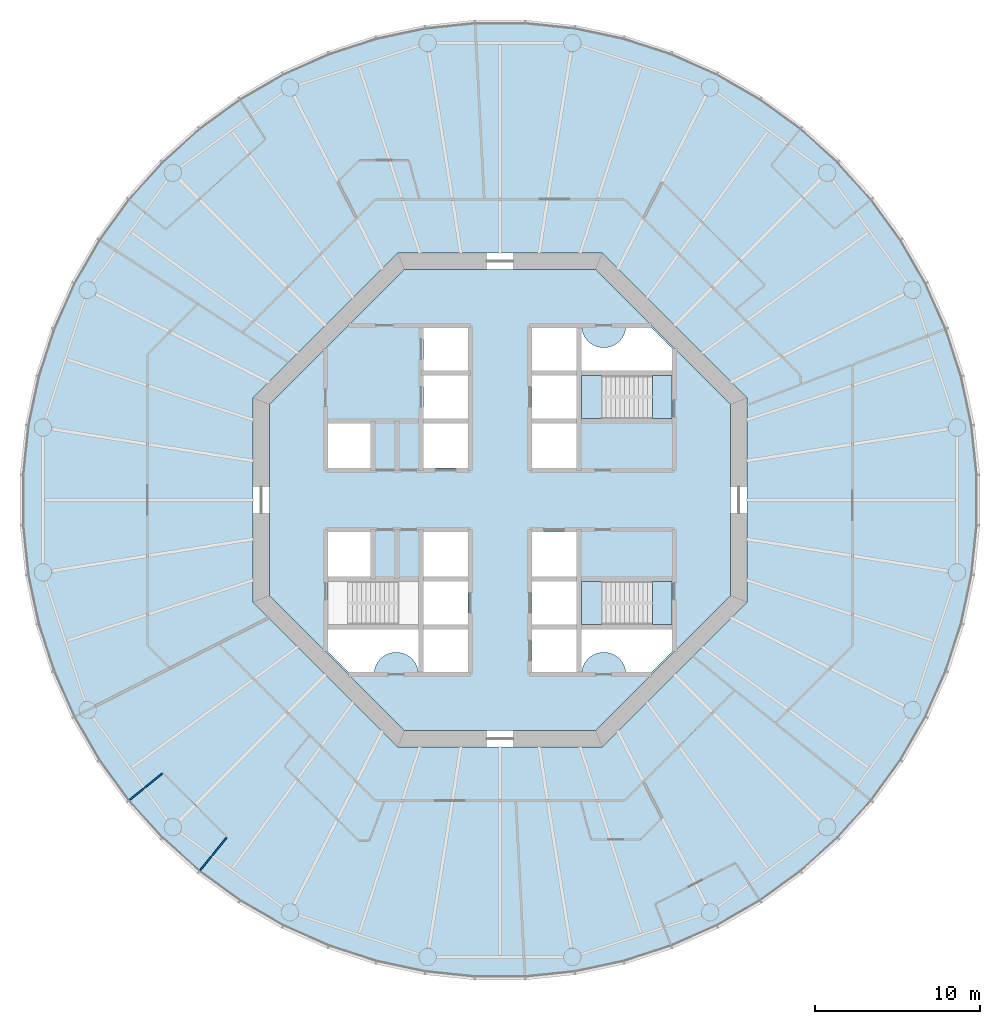
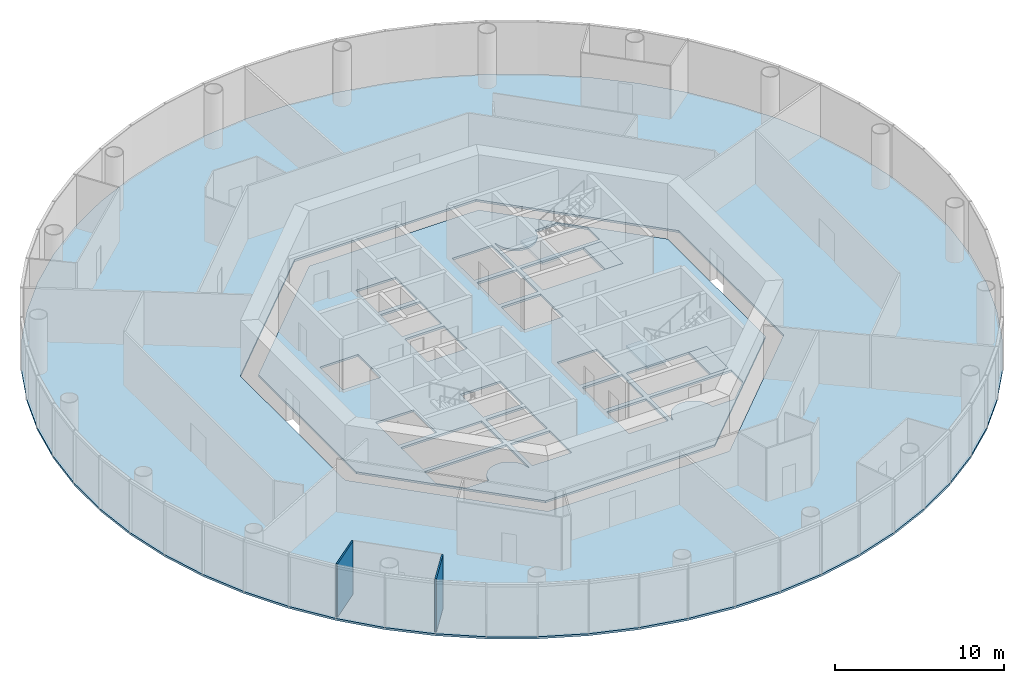
# One storey, part 2 of 13: 6 slabs, 2 walls, 2 elements without a shape of their own.
"""IFC4 building model written with IfcOpenShell, lengths in metres."""

from ifc_helpers import new_model, si_unit, direction, frame, frame_2d, origin, place, context, subcontext, project, spatial, polyline, rectangle, outline, extrude, material, layer, layer_set, type_object, element, aggregate, save


model = new_model("IFC4")

# Units and contexts
model_context = context("Model", 3, precision=1e-05, world=origin(), true_north=direction((0.0, 1.0)))
body_context = subcontext(model_context, "Body", "Model", "MODEL_VIEW")
ifc_project = project(units=[si_unit("LENGTHUNIT", "METRE"), si_unit("AREAUNIT", "SQUARE_METRE"), si_unit("VOLUMEUNIT", "CUBIC_METRE"), si_unit("PLANEANGLEUNIT", "RADIAN"), si_unit("MASSUNIT", "GRAM", prefix="KILO")], contexts=[model_context])

# Site, building, storey
site_placement = place(None, origin())
site = spatial("IfcSite", under=ifc_project, at=site_placement, CompositionType="ELEMENT")
building_placement = place(site_placement, origin())
building = spatial("IfcBuilding", under=site, at=building_placement, Name="Entoto Ring Tower", CompositionType="ELEMENT")
storey_placement = place(building_placement, frame((0.0, 0.0, 188.0)))
storey = spatial("IfcBuildingStorey", under=building, at=storey_placement, Name="L43", CompositionType="ELEMENT", Elevation=188.0)

# Slabs
ifc_material_1 = material(Name="Concrete C30/37", Category="concrete")
ifc_layer_1 = layer(ifc_material_1, 0.14990234375)
ifc_layer_set_1 = layer_set([ifc_layer_1], Name="Concrete C30/37")
slab_type_1 = type_object("IfcSlabType", Name="Composite floor slab 150 mm", PredefinedType="FLOOR", material=ifc_layer_set_1)
slab_1_placement = place(storey_placement, frame((0.0, 0.0, -0.14990234375)))
element("IfcSlab", 1, at=slab_1_placement, inside=storey, type_object=slab_type_1, Name="Floor slab L43", PredefinedType="FLOOR", context=body_context, shape_type="SweptSolid", body=[
    extrude(outline(polyline([(118.74169921875, 84.55224609375), (118.1083984375, 87.53173828125), (117.167236328125, 90.428466796875), (115.92822265625, 93.211181640625), (114.4052734375, 95.848876953125), (112.614990234375, 98.313232421875), (110.576904296875, 100.576904296875), (108.313232421875, 102.614990234375), (105.848876953125, 104.4052734375), (103.211181640625, 105.92822265625), (100.428466796875, 107.167236328125), (97.53173828125, 108.1083984375), (94.55224609375, 108.74169921875), (91.52294921875, 109.06005859375), (88.47705078125, 109.06005859375), (85.44775390625, 108.74169921875), (82.46826171875, 108.1083984375), (79.571533203125, 107.167236328125), (76.788818359375, 105.92822265625), (74.151123046875, 104.4052734375), (71.686767578125, 102.614990234375), (69.423095703125, 100.576904296875), (67.385009765625, 98.313232421875), (65.5947265625, 95.848876953125), (64.07177734375, 93.211181640625), (62.832763671875, 90.428466796875), (61.8916015625, 87.53173828125), (61.25830078125, 84.55224609375), (60.93994140625, 81.52294921875), (60.93994140625, 78.47705078125), (61.25830078125, 75.44775390625), (61.8916015625, 72.46826171875), (62.832763671875, 69.571533203125), (64.07177734375, 66.788818359375), (65.5947265625, 64.151123046875), (67.385009765625, 61.686767578125), (69.423095703125, 59.423095703125), (71.686767578125, 57.385009765625), (74.151123046875, 55.5947265625), (76.788818359375, 54.07177734375), (79.571533203125, 52.832763671875), (82.46826171875, 51.8916015625), (85.44775390625, 51.25830078125), (88.47705078125, 50.93994140625), (91.52294921875, 50.93994140625), (94.55224609375, 51.25830078125), (97.53173828125, 51.8916015625), (100.428466796875, 52.832763671875), (103.211181640625, 54.07177734375), (105.848876953125, 55.5947265625), (108.313232421875, 57.385009765625), (110.576904296875, 59.423095703125), (112.614990234375, 61.686767578125), (114.4052734375, 64.151123046875), (115.92822265625, 66.788818359375), (117.167236328125, 69.571533203125), (118.1083984375, 72.46826171875), (118.74169921875, 75.44775390625), (119.06005859375, 78.47705078125), (119.06005859375, 81.52294921875), (118.74169921875, 84.55224609375)]), holes=[polyline([(105.0, 73.786865234375), (105.0, 86.213134765625), (96.213134765625, 95.0), (83.786865234375, 95.0), (75.0, 86.213134765625), (75.0, 73.786865234375), (83.786865234375, 65.0), (96.213134765625, 65.0), (105.0, 73.786865234375)])]), origin(), (0.0, 0.0, 1.0), 0.14990234375),
])
ifc_material_2 = material(Name="Concrete C40/50", Category="concrete")
ifc_layer_2 = layer(ifc_material_2, 0.14990234375)
ifc_layer_set_2 = layer_set([ifc_layer_2], Name="Concrete C40/50")
slab_type_2 = type_object("IfcSlabType", Name="Core floor slab 150 mm reinforced concrete C40/50", PredefinedType="FLOOR", material=ifc_layer_set_2)
slab_2_placement = place(storey_placement, frame((0.0, 0.0, -0.14990234375)))
element("IfcSlab", 2, at=slab_2_placement, inside=storey, type_object=slab_type_2, Name="Core floor L43", PredefinedType="FLOOR", context=body_context, shape_type="SweptSolid", body=[
    extrude(outline(polyline([(104.0, 74.200927734375), (104.0, 85.799072265625), (95.799072265625, 94.0), (84.200927734375, 94.0), (76.0, 85.799072265625), (76.0, 74.200927734375), (84.200927734375, 66.0), (95.799072265625, 66.0), (104.0, 74.200927734375)]), holes=[polyline([(100.449951171875, 84.949951171875), (100.449951171875, 87.550048828125), (94.949951171875, 87.550048828125), (94.949951171875, 84.949951171875), (100.449951171875, 84.949951171875)]), polyline([(85.050048828125, 72.449951171875), (85.050048828125, 75.050048828125), (79.550048828125, 75.050048828125), (79.550048828125, 72.449951171875), (85.050048828125, 72.449951171875)]), polyline([(100.449951171875, 72.449951171875), (100.449951171875, 75.050048828125), (94.949951171875, 75.050048828125), (94.949951171875, 72.449951171875), (100.449951171875, 72.449951171875)]), polyline([(91.949951171875, 84.949951171875), (94.64990234375, 84.949951171875), (94.64990234375, 87.550048828125), (91.949951171875, 87.550048828125), (91.949951171875, 84.949951171875)]), polyline([(91.949951171875, 72.449951171875), (94.64990234375, 72.449951171875), (94.64990234375, 75.050048828125), (91.949951171875, 75.050048828125), (91.949951171875, 72.449951171875)]), polyline([(91.949951171875, 69.550048828125), (94.64990234375, 69.550048828125), (94.64990234375, 72.14990234375), (91.949951171875, 72.14990234375), (91.949951171875, 69.550048828125)]), polyline([(85.35009765625, 72.449951171875), (88.050048828125, 72.449951171875), (88.050048828125, 75.050048828125), (85.35009765625, 75.050048828125), (85.35009765625, 72.449951171875)]), polyline([(85.35009765625, 81.949951171875), (88.050048828125, 81.949951171875), (88.050048828125, 84.64990234375), (85.35009765625, 84.64990234375), (85.35009765625, 81.949951171875)]), polyline([(91.949951171875, 75.35009765625), (94.64990234375, 75.35009765625), (94.64990234375, 78.050048828125), (91.949951171875, 78.050048828125), (91.949951171875, 75.35009765625)]), polyline([(79.550048828125, 81.949951171875), (82.14990234375, 81.949951171875), (82.14990234375, 84.64990234375), (79.550048828125, 84.64990234375), (79.550048828125, 81.949951171875)]), polyline([(79.550048828125, 75.35009765625), (82.14990234375, 75.35009765625), (82.14990234375, 78.050048828125), (79.550048828125, 78.050048828125), (79.550048828125, 75.35009765625)]), polyline([(91.949951171875, 87.85009765625), (94.64990234375, 87.85009765625), (94.64990234375, 90.449951171875), (91.949951171875, 90.449951171875), (91.949951171875, 87.85009765625)]), polyline([(85.35009765625, 69.550048828125), (88.050048828125, 69.550048828125), (88.050048828125, 72.14990234375), (85.35009765625, 72.14990234375), (85.35009765625, 69.550048828125)]), polyline([(91.949951171875, 81.949951171875), (94.64990234375, 81.949951171875), (94.64990234375, 84.64990234375), (91.949951171875, 84.64990234375), (91.949951171875, 81.949951171875)]), polyline([(85.35009765625, 75.35009765625), (88.050048828125, 75.35009765625), (88.050048828125, 78.050048828125), (85.35009765625, 78.050048828125), (85.35009765625, 75.35009765625)]), polyline([(85.35009765625, 84.949951171875), (88.050048828125, 84.949951171875), (88.050048828125, 87.550048828125), (85.35009765625, 87.550048828125), (85.35009765625, 84.949951171875)]), polyline([(85.35009765625, 87.85009765625), (88.050048828125, 87.85009765625), (88.050048828125, 90.449951171875), (85.35009765625, 90.449951171875), (85.35009765625, 87.85009765625)]), polyline([(94.89990234375, 90.5), (94.89990234375, 87.800048828125), (100.5, 87.800048828125), (100.5, 89.15771484375), (99.15771484375, 90.5), (97.64501953125, 90.5), (97.6435546875, 90.4677734375), (97.6240234375, 90.336669921875), (97.591796875, 90.2080078125), (97.547119140625, 90.08349609375), (97.490478515625, 89.963623046875), (97.422607421875, 89.85009765625), (97.343505859375, 89.74365234375), (97.254638671875, 89.6455078125), (97.156494140625, 89.556396484375), (97.050048828125, 89.4775390625), (96.936279296875, 89.409423828125), (96.816650390625, 89.352783203125), (96.69189453125, 89.30810546875), (96.5634765625, 89.27587890625), (96.432373046875, 89.256591796875), (96.300048828125, 89.25), (96.167724609375, 89.256591796875), (96.03662109375, 89.27587890625), (95.908203125, 89.30810546875), (95.783447265625, 89.352783203125), (95.66357421875, 89.409423828125), (95.550048828125, 89.4775390625), (95.443603515625, 89.556396484375), (95.345458984375, 89.6455078125), (95.25634765625, 89.74365234375), (95.177490234375, 89.85009765625), (95.109375, 89.963623046875), (95.052734375, 90.08349609375), (95.008056640625, 90.2080078125), (94.975830078125, 90.336669921875), (94.95654296875, 90.4677734375), (94.954833984375, 90.5), (94.89990234375, 90.5)]), polyline([(79.5, 70.84228515625), (80.84228515625, 69.5), (82.35498046875, 69.5), (82.3564453125, 69.5322265625), (82.3759765625, 69.663330078125), (82.408203125, 69.7919921875), (82.452880859375, 69.91650390625), (82.509521484375, 70.036376953125), (82.577392578125, 70.14990234375), (82.656494140625, 70.25634765625), (82.745361328125, 70.3544921875), (82.843505859375, 70.443603515625), (82.949951171875, 70.5224609375), (83.063720703125, 70.590576171875), (83.183349609375, 70.647216796875), (83.30810546875, 70.69189453125), (83.4365234375, 70.72412109375), (83.567626953125, 70.743408203125), (83.699951171875, 70.75), (83.832275390625, 70.743408203125), (83.96337890625, 70.72412109375), (84.091796875, 70.69189453125), (84.216552734375, 70.647216796875), (84.33642578125, 70.590576171875), (84.449951171875, 70.5224609375), (84.556396484375, 70.443603515625), (84.654541015625, 70.3544921875), (84.74365234375, 70.25634765625), (84.822509765625, 70.14990234375), (84.890625, 70.036376953125), (84.947265625, 69.91650390625), (84.991943359375, 69.7919921875), (85.024169921875, 69.663330078125), (85.04345703125, 69.5322265625), (85.045166015625, 69.5), (85.10009765625, 69.5), (85.10009765625, 72.199951171875), (79.5, 72.199951171875), (79.5, 70.84228515625)]), polyline([(97.64501953125, 69.5), (99.15771484375, 69.5), (100.5, 70.84228515625), (100.5, 72.199951171875), (94.89990234375, 72.199951171875), (94.89990234375, 69.5), (94.954833984375, 69.5), (94.95654296875, 69.5322265625), (94.975830078125, 69.663330078125), (95.008056640625, 69.7919921875), (95.052734375, 69.91650390625), (95.109375, 70.036376953125), (95.177490234375, 70.14990234375), (95.25634765625, 70.25634765625), (95.345458984375, 70.3544921875), (95.443603515625, 70.443603515625), (95.550048828125, 70.5224609375), (95.66357421875, 70.590576171875), (95.783447265625, 70.647216796875), (95.908203125, 70.69189453125), (96.03662109375, 70.72412109375), (96.167724609375, 70.743408203125), (96.300048828125, 70.75), (96.432373046875, 70.743408203125), (96.5634765625, 70.72412109375), (96.69189453125, 70.69189453125), (96.816650390625, 70.647216796875), (96.936279296875, 70.590576171875), (97.050048828125, 70.5224609375), (97.156494140625, 70.443603515625), (97.254638671875, 70.3544921875), (97.343505859375, 70.25634765625), (97.422607421875, 70.14990234375), (97.490478515625, 70.036376953125), (97.547119140625, 69.91650390625), (97.591796875, 69.7919921875), (97.6240234375, 69.663330078125), (97.6435546875, 69.5322265625), (97.64501953125, 69.5)])]), origin(), (0.0, 0.0, 1.0), 0.14990234375),
])

# Stair, slabs
ifc_material_3 = material(Name="Concrete C40/50", Category="concrete")
stair_type = type_object("IfcStairType", Name="Exit stair 1200 mm dog-leg reinforced concrete", PredefinedType="HALF_TURN_STAIR", material=ifc_material_3)
stair_1_placement = place(storey_placement, origin())
stair_1 = element("IfcStair", 3, at=stair_1_placement, inside=storey, type_object=stair_type, Name="Exit stair 1", PredefinedType="HALF_TURN_STAIR")
ifc_material_4 = material(Name="Concrete C40/50", Category="concrete")
ifc_layer_3 = layer(ifc_material_4, 0.199951171875)
ifc_layer_set_3 = layer_set([ifc_layer_3], Name="Concrete C40/50")
slab_type_3 = type_object("IfcSlabType", Name="Stair landing 200 mm reinforced concrete", PredefinedType="LANDING", material=ifc_layer_set_3)
slab_3_placement = place(storey_placement, frame((0.0, 0.0, -0.199951171875)))
slab_3 = element("IfcSlab", 4, at=slab_3_placement, type_object=slab_type_3, Name="ST1 landing 1", PredefinedType="LANDING", context=body_context, shape_type="SweptSolid", body=[
    extrude(outline(polyline([(100.449951171875, 84.949951171875), (100.449951171875, 87.550048828125), (99.25, 87.550048828125), (99.25, 84.949951171875), (100.449951171875, 84.949951171875)])), origin(), (0.0, 0.0, 1.0), 0.199951171875),
])
slab_4_placement = place(storey_placement, frame((0.0, 0.0, 1.800048828125)))
slab_4 = element("IfcSlab", 5, at=slab_4_placement, type_object=slab_type_3, Name="ST1 landing 2", PredefinedType="LANDING", context=body_context, shape_type="SweptSolid", body=[
    extrude(outline(polyline([(94.949951171875, 84.949951171875), (96.169921875, 84.949951171875), (96.169921875, 87.550048828125), (94.949951171875, 87.550048828125), (94.949951171875, 84.949951171875)])), origin(), (0.0, 0.0, 1.0), 0.199951171875),
])
aggregate(stair_1, [slab_3, slab_4])

stair_2_placement = place(storey_placement, origin())
stair_2 = element("IfcStair", 6, at=stair_2_placement, inside=storey, type_object=stair_type, Name="Exit stair 3", PredefinedType="HALF_TURN_STAIR")
slab_5_placement = place(storey_placement, frame((0.0, 0.0, -0.199951171875)))
slab_5 = element("IfcSlab", 7, at=slab_5_placement, type_object=slab_type_3, Name="ST3 landing 1", PredefinedType="LANDING", context=body_context, shape_type="SweptSolid", body=[
    extrude(outline(polyline([(100.449951171875, 72.449951171875), (100.449951171875, 75.050048828125), (99.25, 75.050048828125), (99.25, 72.449951171875), (100.449951171875, 72.449951171875)])), origin(), (0.0, 0.0, 1.0), 0.199951171875),
])
slab_6_placement = place(storey_placement, frame((0.0, 0.0, 1.800048828125)))
slab_6 = element("IfcSlab", 8, at=slab_6_placement, type_object=slab_type_3, Name="ST3 landing 2", PredefinedType="LANDING", context=body_context, shape_type="SweptSolid", body=[
    extrude(outline(polyline([(94.949951171875, 72.449951171875), (96.169921875, 72.449951171875), (96.169921875, 75.050048828125), (94.949951171875, 75.050048828125), (94.949951171875, 72.449951171875)])), origin(), (0.0, 0.0, 1.0), 0.199951171875),
])
aggregate(stair_2, [slab_5, slab_6])

# Walls
ifc_material_5 = material(Name="Plasterboard on steel studs", Category="steel")
ifc_layer_4 = layer(ifc_material_5, 0.10009765625)
ifc_layer_set_4 = layer_set([ifc_layer_4], Name="Plasterboard on steel studs")
wall_type = type_object("IfcWallType", Name="Partition 100 mm plasterboard on steel studs", PredefinedType="PARTITIONING", material=ifc_layer_set_4)
for number, where, z_axis, x_axis, name in (
    (9, (67.509521484375, 61.78759765625, 0.0), (0.0, 0.0, 1.0), (0.777142700589, 0.629324417865, 0.0), "partition-L43-037"),
    (10, (71.78759765625, 57.509521484375, 0.0), (0.0, 0.0, 1.0), (0.629324417865, 0.777142700589, 0.0), "partition-L43-038"),
):
    element("IfcWall", number, at=place(storey_placement, frame(where, z_axis=z_axis, x_axis=x_axis)), inside=storey, type_object=wall_type, Name=name, PredefinedType="PARTITIONING", context=body_context, shape_type="SweptSolid", body=[
        extrude(rectangle(XDim=2.56005859375, YDim=0.10009765625, at=frame_2d((1.280029296875, 0.0))), origin(), (0.0, 0.0, 1.0), 3.85009765625),
    ])

save(model, "model.ifc")
